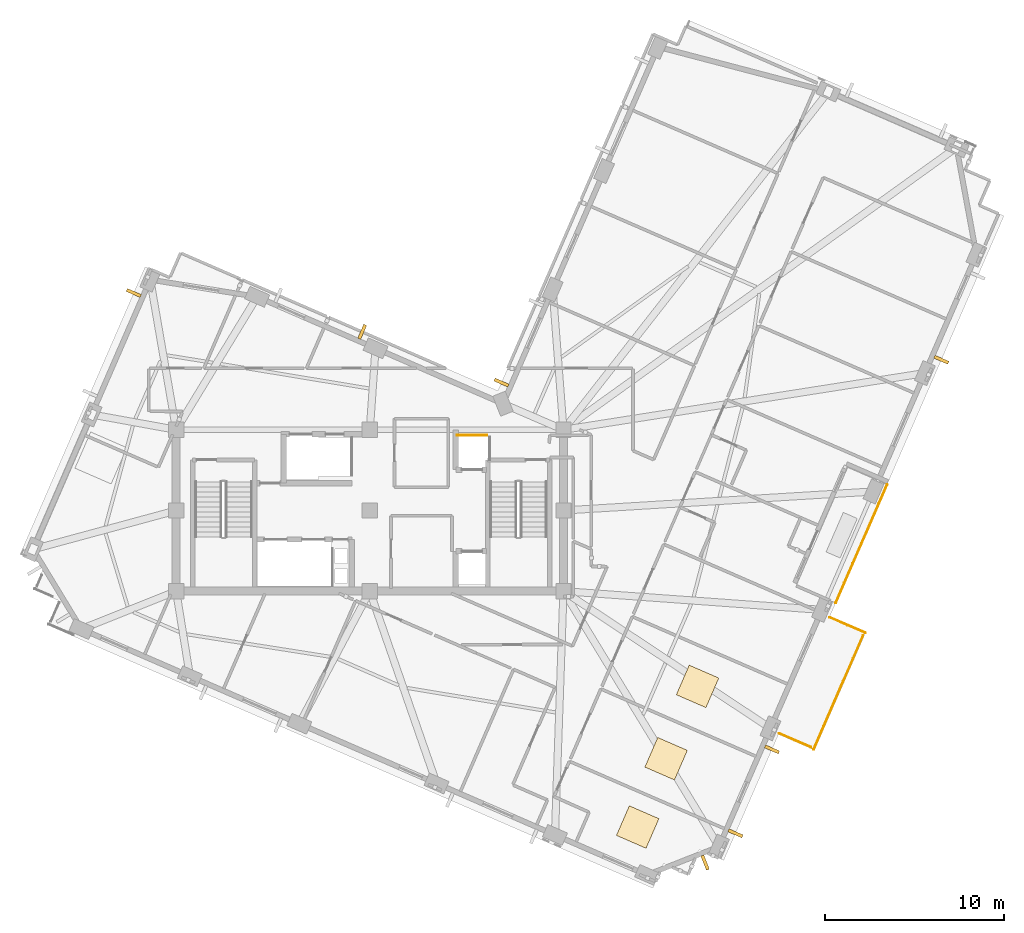
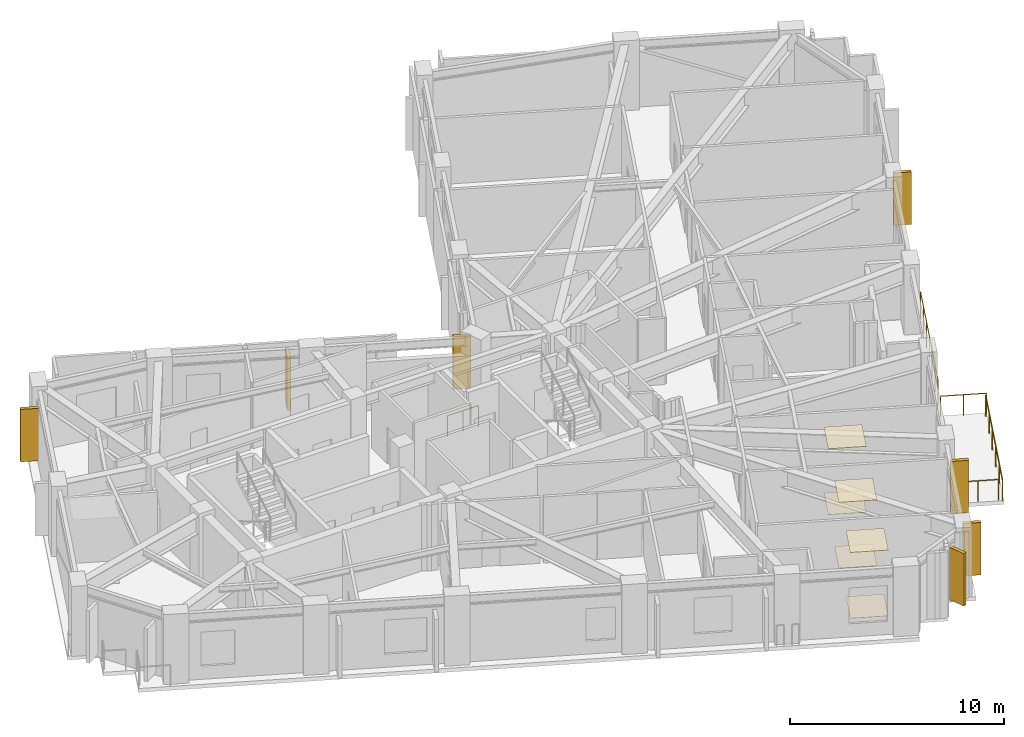
# One storey, part 10 of 11: 7 shading devices, 6 coverings, 5 railings.
"""IFC4 building model written with IfcOpenShell, lengths in metres."""

from ifc_helpers import new_model, si_unit, direction, frame, origin, origin_2d, place, context, subcontext, project, spatial, rectangle, circle, extrude, material, layer, layer_set, type_object, element, save


model = new_model("IFC4")

# Units and contexts
model_context = context("Model", 3, precision=1e-05, world=origin(), true_north=direction((0.0, 1.0)))
body_context = subcontext(model_context, "Body", "Model", "MODEL_VIEW")
ifc_project = project(units=[si_unit("LENGTHUNIT", "METRE"), si_unit("AREAUNIT", "SQUARE_METRE"), si_unit("VOLUMEUNIT", "CUBIC_METRE"), si_unit("PLANEANGLEUNIT", "RADIAN"), si_unit("MASSUNIT", "GRAM", prefix="KILO")], contexts=[model_context])

# Site, building, storey
site_placement = place(None, origin())
site = spatial("IfcSite", under=ifc_project, at=site_placement, CompositionType="ELEMENT")
building_placement = place(site_placement, origin())
building = spatial("IfcBuilding", under=site, at=building_placement, Name="Gaonmaruhae Medical Tower", CompositionType="ELEMENT")
storey_placement = place(building_placement, frame((0.0, 0.0, 324.60009765625)))
storey = spatial("IfcBuildingStorey", under=building, at=storey_placement, Name="L78", CompositionType="ELEMENT", Elevation=324.60009765625)

# Coverings
ifc_material_1 = material(Name="Acoustic mineral ceiling tile", Category="finish")
ifc_layer_1 = layer(ifc_material_1, 0.02490234375)
ifc_layer_set_1 = layer_set([ifc_layer_1], Name="Acoustic mineral ceiling tile")
covering_type_1 = type_object("IfcCoveringType", Name="CLG-01 Antimicrobial Acoustic Mineral Ceiling", PredefinedType="CEILING", material=ifc_layer_set_1)
for number, where, z_axis, x_axis, name in (
    (1, (39.740478515625, -5.355712890625, 3.7548828125), (0.0, 0.0, 1.0), (0.398749068925, 0.917060074385, 0.0), "L78 Clinical Room Acoustic Ceiling 2"),
    (2, (41.325439453125, -1.545654296875, 3.7548828125), (0.0, 0.0, 1.0), (0.398749068925, 0.917060074385, 0.0), "L78 Clinical Room Acoustic Ceiling 3"),
    (3, (43.080078125, 2.489501953125, 3.7548828125), (0.0, 0.0, 1.0), (0.398749068925, 0.917060074385, 0.0), "L78 Clinical Room Acoustic Ceiling 4"),
):
    element("IfcCovering", number, at=place(storey_placement, frame(where, z_axis=z_axis, x_axis=x_axis)), inside=storey, type_object=covering_type_1, Name=name, PredefinedType="CEILING", context=body_context, shape_type="SweptSolid", body=[
        extrude(rectangle(XDim=1.800048828125, YDim=1.800048828125, at=origin_2d()), origin(), (0.0, 0.0, 1.0), 0.02490234375),
    ])
ifc_material_2 = material(Name="Seamless clinical vinyl flooring", Category="finish")
ifc_layer_2 = layer(ifc_material_2, 0.014892578125)
ifc_layer_set_2 = layer_set([ifc_layer_2], Name="Seamless clinical vinyl flooring")
covering_type_2 = type_object("IfcCoveringType", Name="FLR-01 Seamless Clinical Antistatic Vinyl Flooring", PredefinedType="FLOORING", material=ifc_layer_set_2)
for number, where, z_axis, x_axis, name in (
    (4, (39.740478515625, -5.355712890625, 0.0), (0.0, 0.0, 1.0), (0.398749068925, 0.917060074385, 0.0), "L78 Clinical Room Vinyl Flooring 2"),
    (5, (41.325439453125, -1.545654296875, 0.0), (0.0, 0.0, 1.0), (0.398749068925, 0.917060074385, 0.0), "L78 Clinical Room Vinyl Flooring 3"),
    (6, (43.080078125, 2.489501953125, 0.0), (0.0, 0.0, 1.0), (0.398749068925, 0.917060074385, 0.0), "L78 Clinical Room Vinyl Flooring 4"),
):
    element("IfcCovering", number, at=place(storey_placement, frame(where, z_axis=z_axis, x_axis=x_axis)), inside=storey, type_object=covering_type_2, Name=name, PredefinedType="FLOORING", context=body_context, shape_type="SweptSolid", body=[
        extrude(rectangle(XDim=1.800048828125, YDim=1.800048828125, at=origin_2d()), origin(), (0.0, 0.0, 1.0), 0.014892578125),
    ])

# Railings
ifc_material_3 = material(Name="Stainless steel 316L and laminated safety glass", Category="steel")
ifc_layer_3 = layer(ifc_material_3, 0.080078125)
ifc_layer_set_3 = layer_set([ifc_layer_3], Name="Stainless steel 316L and laminated safety glass")
railing_type_1 = type_object("IfcRailingType", Name="GD-120 Outdoor Terrace Safety Glass & Steel Balustrade", PredefinedType="BALUSTRADE", material=ifc_layer_set_3)
railing_1_placement = place(storey_placement, frame((50.455322265625, 6.33544921875, 0.0)))
element("IfcRailing", 7, at=railing_1_placement, inside=storey, type_object=railing_type_1, Name="L78 Perimeter Slab Edge Safety Balustrade 13", PredefinedType="BALUSTRADE", context=body_context, shape_type="SweptSolid", body=[
    extrude(circle(Radius=0.02392578125, at=origin_2d()), frame((0.0, 0.0, 1.17578125), z_axis=(0.917086229615, -0.398688910619, 0.0), x_axis=(0.398688910619, 0.917086229615, 0.0)), (0.0, 0.0, 1.0), 2.15966796875),
    extrude(circle(Radius=0.02099609375, at=origin_2d()), origin(), (0.0, 0.0, 1.0), 1.15185546875),
    extrude(circle(Radius=0.02099609375, at=origin_2d()), frame((0.990234375, -0.4306640625, 0.0)), (0.0, 0.0, 1.0), 1.15185546875),
    extrude(circle(Radius=0.02099609375, at=origin_2d()), frame((1.980712890625, -0.861083984375, 0.0)), (0.0, 0.0, 1.0), 1.15185546875),
])
railing_2_placement = place(storey_placement, frame((52.31005859375, 5.309814453125, 0.0)))
element("IfcRailing", 8, at=railing_2_placement, inside=storey, type_object=railing_type_1, Name="L78 Perimeter Slab Edge Safety Balustrade 14", PredefinedType="BALUSTRADE", context=body_context, shape_type="SweptSolid", body=[
    extrude(circle(Radius=0.02392578125, at=origin_2d()), frame((0.0, 0.0, 1.17578125), z_axis=(-0.398741616898, -0.917063314583, 0.0), x_axis=(0.917063314583, -0.398741616898, 0.0)), (0.0, 0.0, 1.0), 6.908935546875),
    extrude(circle(Radius=0.02099609375, at=origin_2d()), origin(), (0.0, 0.0, 1.0), 1.15185546875),
    extrude(circle(Radius=0.02099609375, at=origin_2d()), frame((-0.551025390625, -1.26708984375, 0.0)), (0.0, 0.0, 1.0), 1.15185546875),
    extrude(circle(Radius=0.02099609375, at=origin_2d()), frame((-1.10205078125, -2.534423828125, 0.0)), (0.0, 0.0, 1.0), 1.15185546875),
    extrude(circle(Radius=0.02099609375, at=origin_2d()), frame((-1.65283203125, -3.801513671875, 0.0)), (0.0, 0.0, 1.0), 1.15185546875),
    extrude(circle(Radius=0.02099609375, at=origin_2d()), frame((-2.203857421875, -5.06884765625, 0.0)), (0.0, 0.0, 1.0), 1.15185546875),
    extrude(circle(Radius=0.02099609375, at=origin_2d()), frame((-2.7548828125, -6.3359375, 0.0)), (0.0, 0.0, 1.0), 1.15185546875),
])
railing_3_placement = place(storey_placement, frame((49.40234375, -0.905029296875, 0.0)))
element("IfcRailing", 9, at=railing_3_placement, inside=storey, type_object=railing_type_1, Name="L78 Perimeter Slab Edge Safety Balustrade 15", PredefinedType="BALUSTRADE", context=body_context, shape_type="SweptSolid", body=[
    extrude(circle(Radius=0.02392578125, at=origin_2d()), frame((0.0, 0.0, 1.17578125), z_axis=(-0.917082175533, 0.398698235913, 0.0), x_axis=(-0.398698235913, -0.917082175533, 0.0)), (0.0, 0.0, 1.0), 1.921630859375),
    extrude(circle(Radius=0.02099609375, at=origin_2d()), origin(), (0.0, 0.0, 1.0), 1.15185546875),
    extrude(circle(Radius=0.02099609375, at=origin_2d()), frame((-0.881103515625, 0.383056640625, 0.0)), (0.0, 0.0, 1.0), 1.15185546875),
    extrude(circle(Radius=0.02099609375, at=origin_2d()), frame((-1.76220703125, 0.76611328125, 0.0)), (0.0, 0.0, 1.0), 1.15185546875),
])
ifc_layer_4 = layer(ifc_material_3, 0.080078125)
ifc_layer_set_4 = layer_set([ifc_layer_4], Name="Stainless steel 316L and laminated safety glass")
railing_type_2 = type_object("IfcRailingType", Name="GD-155 Planter-Edge Raised Safety Balustrade", PredefinedType="BALUSTRADE", material=ifc_layer_set_4)
railing_4_placement = place(storey_placement, frame((50.783935546875, 7.141357421875, 0.0)))
element("IfcRailing", 10, at=railing_4_placement, inside=storey, type_object=railing_type_2, Name="L78 Terrace Safety Guard RL-SLB-L78-TER-01", PredefinedType="BALUSTRADE", context=body_context, shape_type="SweptSolid", body=[
    extrude(circle(Radius=0.02392578125, at=origin_2d()), frame((0.0, 0.0, 1.52587890625), z_axis=(0.398734790782, 0.917066282566, 0.0), x_axis=(-0.917066282566, 0.398734790782, 0.0)), (0.0, 0.0, 1.0), 7.199951171875),
    extrude(circle(Radius=0.02099609375, at=origin_2d()), origin(), (0.0, 0.0, 1.0), 1.501953125),
    extrude(circle(Radius=0.02099609375, at=origin_2d()), frame((0.478515625, 1.1005859375, 0.0)), (0.0, 0.0, 1.0), 1.501953125),
    extrude(circle(Radius=0.02099609375, at=origin_2d()), frame((0.95703125, 2.200927734375, 0.0)), (0.0, 0.0, 1.0), 1.501953125),
    extrude(circle(Radius=0.02099609375, at=origin_2d()), frame((1.435546875, 3.30126953125, 0.0)), (0.0, 0.0, 1.0), 1.501953125),
    extrude(circle(Radius=0.02099609375, at=origin_2d()), frame((1.913818359375, 4.40185546875, 0.0)), (0.0, 0.0, 1.0), 1.501953125),
    extrude(circle(Radius=0.02099609375, at=origin_2d()), frame((2.392333984375, 5.50244140625, 0.0)), (0.0, 0.0, 1.0), 1.501953125),
    extrude(circle(Radius=0.02099609375, at=origin_2d()), frame((2.870849609375, 6.602783203125, 0.0)), (0.0, 0.0, 1.0), 1.501953125),
])

# Shading devices
ifc_material_4 = material(Name="Pigmented coral precast concrete C45/55", Category="concrete")
shading_device_type = type_object("IfcShadingDeviceType", Name="SD-FIN1 Tower Vertical Coral Precast Shading Fin", PredefinedType="USERDEFINED", material=ifc_material_4)
for number, where, z_axis, x_axis, name in (
    (11, (47.228271484375, -1.023681640625, 0.13232421875), (0.0, 0.0, 1.0), (-0.398749068925, -0.917060074385, 0.0), "L78 Vertical Coral Precast Shading Fin S01"),
    (12, (45.192626953125, -5.705078125, 0.13232421875), (0.0, 0.0, 1.0), (-0.398749068925, -0.917060074385, 0.0), "L78 Vertical Coral Precast Shading Fin S01B"),
    (13, (56.676513671875, 20.706298828125, 0.13232421875), (0.0, 0.0, 1.0), (-0.398749068925, -0.917060074385, 0.0), "L78 Vertical Coral Precast Shading Fin S05B"),
    (14, (32.14404296875, 19.432861328125, 0.13232421875), (0.0, 0.0, 1.0), (0.398749068925, 0.917060074385, 0.0), "L78 Vertical Coral Precast Shading Fin EN02"),
    (15, (24.37548828125, 22.2626953125, 0.13232421875), (0.0, 0.0, 1.0), (0.917060074385, -0.398749068925, 0.0), "L78 Vertical Coral Precast Shading Fin NE01B"),
    (16, (11.6357421875, 24.429931640625, 0.13232421875), (0.0, 0.0, 1.0), (0.398749068925, 0.917060074385, 0.0), "L78 Vertical Coral Precast Shading Fin N01B"),
    (17, (43.500244140625, -7.33935546875, 0.13232421875), (0.0, 0.0, 1.0), (-0.930411171187, -0.366517465518, 0.0), "L78 Vertical Coral Precast Shading Fin W06"),
):
    element("IfcShadingDevice", number, at=place(storey_placement, frame(where, z_axis=z_axis, x_axis=x_axis)), inside=storey, type_object=shading_device_type, Name=name, ObjectType="FIN", PredefinedType="USERDEFINED", context=body_context, shape_type="SweptSolid", body=[
        extrude(rectangle(XDim=0.179931640625, YDim=0.85009765625, at=origin_2d()), origin(), (0.0, 0.0, 1.0), 3.0),
    ])

# Railing
ifc_material_5 = material(Name="Stainless steel 304 balustrade", Category="steel")
railing_type_3 = type_object("IfcRailingType", Name="SG-112 Stair Well & Ramp Void Safety Balustrade", PredefinedType="BALUSTRADE", material=ifc_material_5)
railing_5_placement = place(storey_placement, frame((29.6630859375, 16.4951171875, 0.0)))
element("IfcRailing", 18, at=railing_5_placement, inside=storey, type_object=railing_type_3, Name="L78 Shaft Edge Safety Guard 20", PredefinedType="BALUSTRADE", context=body_context, shape_type="SweptSolid", body=[
    extrude(circle(Radius=0.02392578125, at=origin_2d()), frame((0.0, 0.0, 1.17578125), z_axis=(1.0, 0.0, 0.0), x_axis=(0.0, 1.0, 0.0)), (0.0, 0.0, 1.0), 1.673828125),
    extrude(circle(Radius=0.02099609375, at=origin_2d()), origin(), (0.0, 0.0, 1.0), 1.15185546875),
    extrude(circle(Radius=0.02099609375, at=origin_2d()), frame((0.8369140625, 0.0, 0.0)), (0.0, 0.0, 1.0), 1.15185546875),
    extrude(circle(Radius=0.02099609375, at=origin_2d()), frame((1.673828125, 0.0, 0.0)), (0.0, 0.0, 1.0), 1.15185546875),
])

save(model, "model.ifc")
